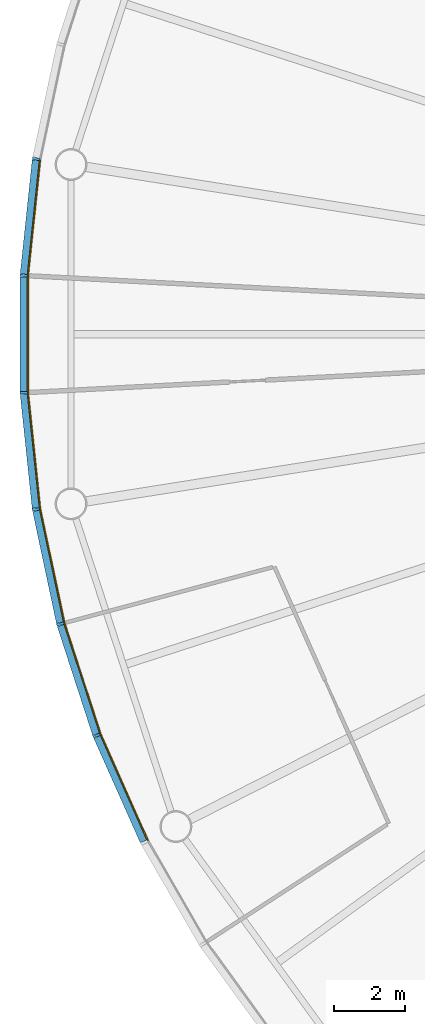
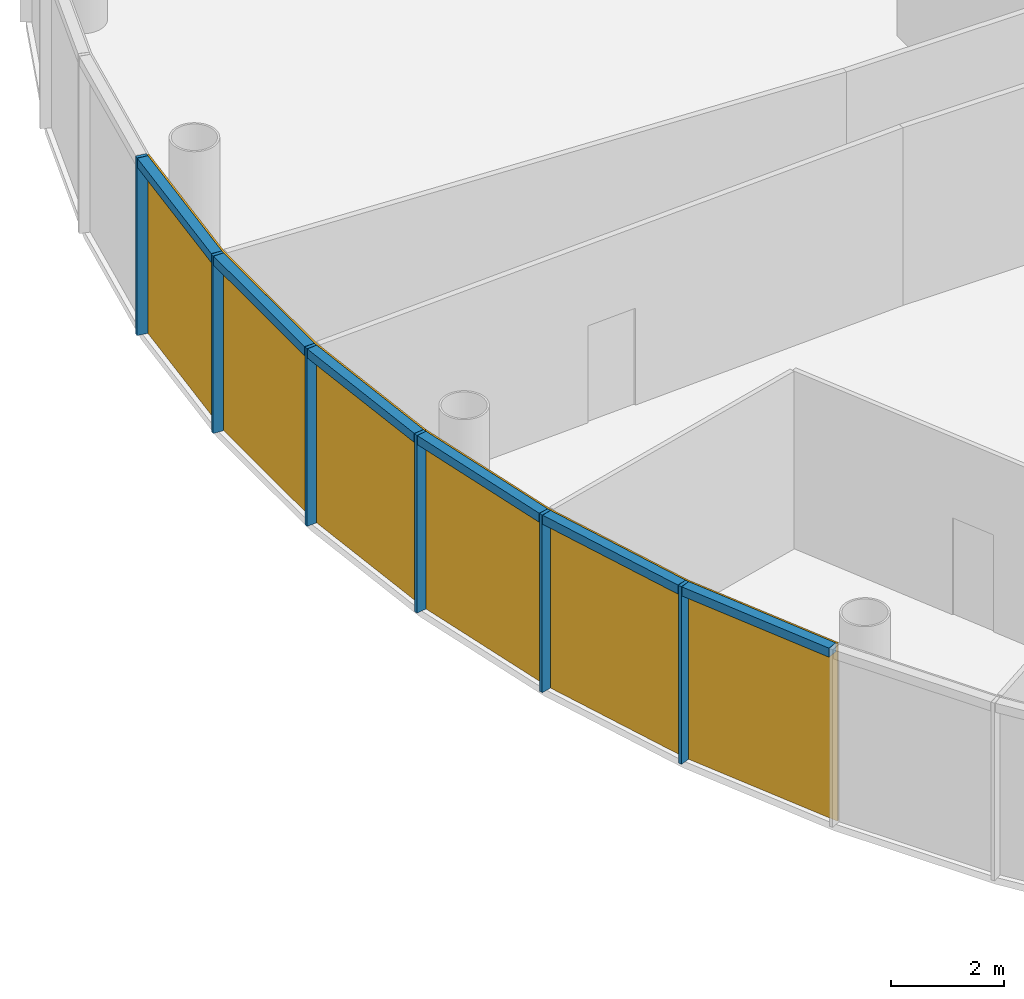
# One storey, part 8 of 13: 12 members, 2 curtain walls.
"""IFC4 building model written with IfcOpenShell, lengths in metres."""

from ifc_helpers import new_model, si_unit, direction, frame, origin, origin_2d, place, context, subcontext, project, spatial, polyline, rectangle, outline, extrude, material, layer, layer_set, material_profile, profile_set, type_object, element, aggregate, save


model = new_model("IFC4")

# Units and contexts
model_context = context("Model", 3, precision=1e-05, world=origin(), true_north=direction((0.0, 1.0)))
body_context = subcontext(model_context, "Body", "Model", "MODEL_VIEW")
ifc_project = project(units=[si_unit("LENGTHUNIT", "METRE"), si_unit("AREAUNIT", "SQUARE_METRE"), si_unit("VOLUMEUNIT", "CUBIC_METRE"), si_unit("PLANEANGLEUNIT", "RADIAN"), si_unit("MASSUNIT", "GRAM", prefix="KILO")], contexts=[model_context])

# Member
ifc_material_1 = material(Name="Anodised aluminium", Category="aluminium")
ifc_material_profile_1 = material_profile(ifc_material_1, rectangle(XDim=0.070068359375, YDim=0.205078125, at=origin_2d()), Name="Mullion 70 x 205 mm anodised aluminium")
ifc_profile_set_1 = profile_set([ifc_material_profile_1], Name="Anodised aluminium")
member_type_1 = type_object("IfcMemberType", Name="Mullion 70 x 205 mm anodised aluminium", PredefinedType="MULLION", material=ifc_profile_set_1)
site_placement = place(None, origin())
building_placement = place(site_placement, origin())
storey_placement = place(building_placement, frame((0.0, 0.0, 380.0)))
member_1_placement = place(storey_placement, frame((58.78662109375, 84.943603515625, 0.0), z_axis=(0.0, 0.0, 1.0), x_axis=(-0.15643446504, -0.987688340595, 0.0)))
member_1 = element("IfcMember", 1, at=member_1_placement, type_object=member_type_1, Name="MULLION L88-27", PredefinedType="MULLION", context=body_context, shape_type="SweptSolid", body=[
    extrude(rectangle(XDim=0.070068359375, YDim=0.205078125, at=origin_2d()), origin(), (0.0, 0.0, 1.0), 3.85009765625),
])

member_2_placement = place(storey_placement, frame((58.44091796875, 81.654052734375, 0.0), z_axis=(0.0, 0.0, 1.0), x_axis=(-0.052335956243, -0.998629534755, 0.0)))
member_2 = element("IfcMember", 2, at=member_2_placement, type_object=member_type_1, Name="MULLION L88-28", PredefinedType="MULLION", context=body_context, shape_type="SweptSolid", body=[
    extrude(rectangle(XDim=0.070068359375, YDim=0.205078125, at=origin_2d()), origin(), (0.0, 0.0, 1.0), 3.85009765625),
])

member_3_placement = place(storey_placement, frame((58.44091796875, 78.345947265625, 0.0), z_axis=(0.0, 0.0, 1.0), x_axis=(0.052335956243, -0.998629534755, 0.0)))
member_3 = element("IfcMember", 3, at=member_3_placement, type_object=member_type_1, Name="MULLION L88-29", PredefinedType="MULLION", context=body_context, shape_type="SweptSolid", body=[
    extrude(rectangle(XDim=0.070068359375, YDim=0.205078125, at=origin_2d()), origin(), (0.0, 0.0, 1.0), 3.85009765625),
])

member_4_placement = place(storey_placement, frame((58.78662109375, 75.056396484375, 0.0), z_axis=(0.0, 0.0, 1.0), x_axis=(0.15643446504, -0.987688340595, 0.0)))
member_4 = element("IfcMember", 4, at=member_4_placement, type_object=member_type_1, Name="MULLION L88-30", PredefinedType="MULLION", context=body_context, shape_type="SweptSolid", body=[
    extrude(rectangle(XDim=0.070068359375, YDim=0.205078125, at=origin_2d()), origin(), (0.0, 0.0, 1.0), 3.85009765625),
])

member_5_placement = place(storey_placement, frame((59.474365234375, 71.820556640625, 0.0), z_axis=(0.0, 0.0, 1.0), x_axis=(0.258819045103, -0.965925826289, 0.0)))
member_5 = element("IfcMember", 5, at=member_5_placement, type_object=member_type_1, Name="MULLION L88-31", PredefinedType="MULLION", context=body_context, shape_type="SweptSolid", body=[
    extrude(rectangle(XDim=0.070068359375, YDim=0.205078125, at=origin_2d()), origin(), (0.0, 0.0, 1.0), 3.85009765625),
])

member_6_placement = place(storey_placement, frame((60.49658203125, 68.674560546875, 0.0), z_axis=(0.0, 0.0, 1.0), x_axis=(0.358367949545, -0.933580426497, 0.0)))
member_6 = element("IfcMember", 6, at=member_6_placement, type_object=member_type_1, Name="MULLION L88-32", PredefinedType="MULLION", context=body_context, shape_type="SweptSolid", body=[
    extrude(rectangle(XDim=0.070068359375, YDim=0.205078125, at=origin_2d()), origin(), (0.0, 0.0, 1.0), 3.85009765625),
])

ifc_material_2 = material(Name="Anodised aluminium", Category="aluminium")
ifc_material_profile_2 = material_profile(ifc_material_2, rectangle(XDim=0.205078125, YDim=0.195068359375, at=origin_2d()), Name="Transom 195 x 205 mm anodised aluminium")
ifc_profile_set_2 = profile_set([ifc_material_profile_2], Name="Anodised aluminium")
member_type_2 = type_object("IfcMemberType", Name="Transom 195 x 205 mm anodised aluminium", PredefinedType="USERDEFINED", material=ifc_profile_set_2)
member_7_placement = place(storey_placement, frame((58.7822265625, 84.903564453125, 3.75244140625), z_axis=(-0.104550890115, -0.994519537956, 0.0), x_axis=(0.994519537956, -0.104550890115, 0.0)))
member_7 = element("IfcMember", 7, at=member_7_placement, type_object=member_type_2, Name="TRANSOM L88-27", ObjectType="TRANSOM", PredefinedType="USERDEFINED", context=body_context, shape_type="SweptSolid", body=[
    extrude(rectangle(XDim=0.205078125, YDim=0.195068359375, at=origin_2d()), origin(), (0.0, 0.0, 1.0), 3.22705078125),
])

member_8_placement = place(storey_placement, frame((58.440673828125, 81.613525390625, 3.75244140625), z_axis=(0.0, -1.0, 0.0), x_axis=(1.0, 0.0, 0.0)))
member_8 = element("IfcMember", 8, at=member_8_placement, type_object=member_type_2, Name="TRANSOM L88-28", ObjectType="TRANSOM", PredefinedType="USERDEFINED", context=body_context, shape_type="SweptSolid", body=[
    extrude(rectangle(XDim=0.205078125, YDim=0.195068359375, at=origin_2d()), origin(), (0.0, 0.0, 1.0), 3.22705078125),
])

member_9_placement = place(storey_placement, frame((58.44482421875, 78.305908203125, 3.75244140625), z_axis=(0.104550890115, -0.994519537956, 0.0), x_axis=(0.994519537956, 0.104550890115, 0.0)))
member_9 = element("IfcMember", 9, at=member_9_placement, type_object=member_type_2, Name="TRANSOM L88-29", ObjectType="TRANSOM", PredefinedType="USERDEFINED", context=body_context, shape_type="SweptSolid", body=[
    extrude(rectangle(XDim=0.205078125, YDim=0.195068359375, at=origin_2d()), origin(), (0.0, 0.0, 1.0), 3.22705078125),
])

member_10_placement = place(storey_placement, frame((58.794921875, 75.016845703125, 3.75244140625), z_axis=(0.207885898771, -0.978153082647, 0.0), x_axis=(0.978153082647, 0.207885898771, 0.0)))
member_10 = element("IfcMember", 10, at=member_10_placement, type_object=member_type_2, Name="TRANSOM L88-30", ObjectType="TRANSOM", PredefinedType="USERDEFINED", context=body_context, shape_type="SweptSolid", body=[
    extrude(rectangle(XDim=0.205078125, YDim=0.195068359375, at=origin_2d()), origin(), (0.0, 0.0, 1.0), 3.227294921875),
])

member_11_placement = place(storey_placement, frame((59.486572265625, 71.7822265625, 3.75244140625), z_axis=(0.309046726844, -0.951046855117, 0.0), x_axis=(0.951046855117, 0.309046726844, 0.0)))
member_11 = element("IfcMember", 11, at=member_11_placement, type_object=member_type_2, Name="TRANSOM L88-31", ObjectType="TRANSOM", PredefinedType="USERDEFINED", context=body_context, shape_type="SweptSolid", body=[
    extrude(rectangle(XDim=0.205078125, YDim=0.195068359375, at=origin_2d()), origin(), (0.0, 0.0, 1.0), 3.22705078125),
])

member_12_placement = place(storey_placement, frame((60.5126953125, 68.6376953125, 3.75244140625), z_axis=(0.406791170024, -0.913521178731, 0.0), x_axis=(0.913521178731, 0.406791170024, 0.0)))
member_12 = element("IfcMember", 12, at=member_12_placement, type_object=member_type_2, Name="TRANSOM L88-32", ObjectType="TRANSOM", PredefinedType="USERDEFINED", context=body_context, shape_type="SweptSolid", body=[
    extrude(rectangle(XDim=0.205078125, YDim=0.195068359375, at=origin_2d()), origin(), (0.0, 0.0, 1.0), 3.22705078125),
])

# Site, building, storey
site = spatial("IfcSite", under=ifc_project, at=site_placement, CompositionType="ELEMENT")
building = spatial("IfcBuilding", under=site, at=building_placement, Name="Entoto Ring Tower", CompositionType="ELEMENT")
storey = spatial("IfcBuildingStorey", under=building, at=storey_placement, Name="L88", CompositionType="ELEMENT", Elevation=380.0)

# Curtain wall
ifc_material_3 = material(Name="Clear low-iron glass", Category="glass")
ifc_layer = layer(ifc_material_3, 0.035888671875)
ifc_layer_set = layer_set([ifc_layer], Name="Clear low-iron glass")
curtain_wall_type = type_object("IfcCurtainWallType", Name="Curtain wall system CW6 glazing 36 mm", PredefinedType="NOTDEFINED", material=ifc_layer_set)
curtain_wall_1_placement = place(storey_placement, origin())
curtain_wall_1 = element("IfcCurtainWall", 13, at=curtain_wall_1_placement, inside=storey, type_object=curtain_wall_type, Name="CW6 L88-10", PredefinedType="NOTDEFINED", context=body_context, shape_type="SweptSolid", body=[
    extrude(outline(polyline([(58.8876953125, 84.927734375), (58.543212890625, 81.648681640625), (58.543212890625, 78.351318359375), (58.8876953125, 75.072265625), (58.92333984375, 75.077880859375), (58.5791015625, 78.353271484375), (58.5791015625, 81.646728515625), (58.92333984375, 84.922119140625), (58.8876953125, 84.927734375)])), origin(), (0.0, 0.0, 1.0), 3.85009765625),
])

aggregate(curtain_wall_1, [member_1, member_2, member_3, member_7, member_8, member_9])

curtain_wall_2_placement = place(storey_placement, origin())
curtain_wall_2 = element("IfcCurtainWall", 14, at=curtain_wall_2_placement, inside=storey, type_object=curtain_wall_type, Name="CW6 L88-11", PredefinedType="NOTDEFINED", context=body_context, shape_type="SweptSolid", body=[
    extrude(outline(polyline([(58.8876953125, 75.072265625), (59.5732421875, 71.84716796875), (60.59228515625, 68.71142578125), (61.933349609375, 65.69921875), (61.96533203125, 65.715576171875), (60.6259765625, 68.724365234375), (59.608154296875, 71.8564453125), (58.92333984375, 75.077880859375), (58.8876953125, 75.072265625)])), origin(), (0.0, 0.0, 1.0), 3.85009765625),
])

aggregate(curtain_wall_2, [member_4, member_5, member_6, member_10, member_11, member_12])

save(model, "model.ifc")
